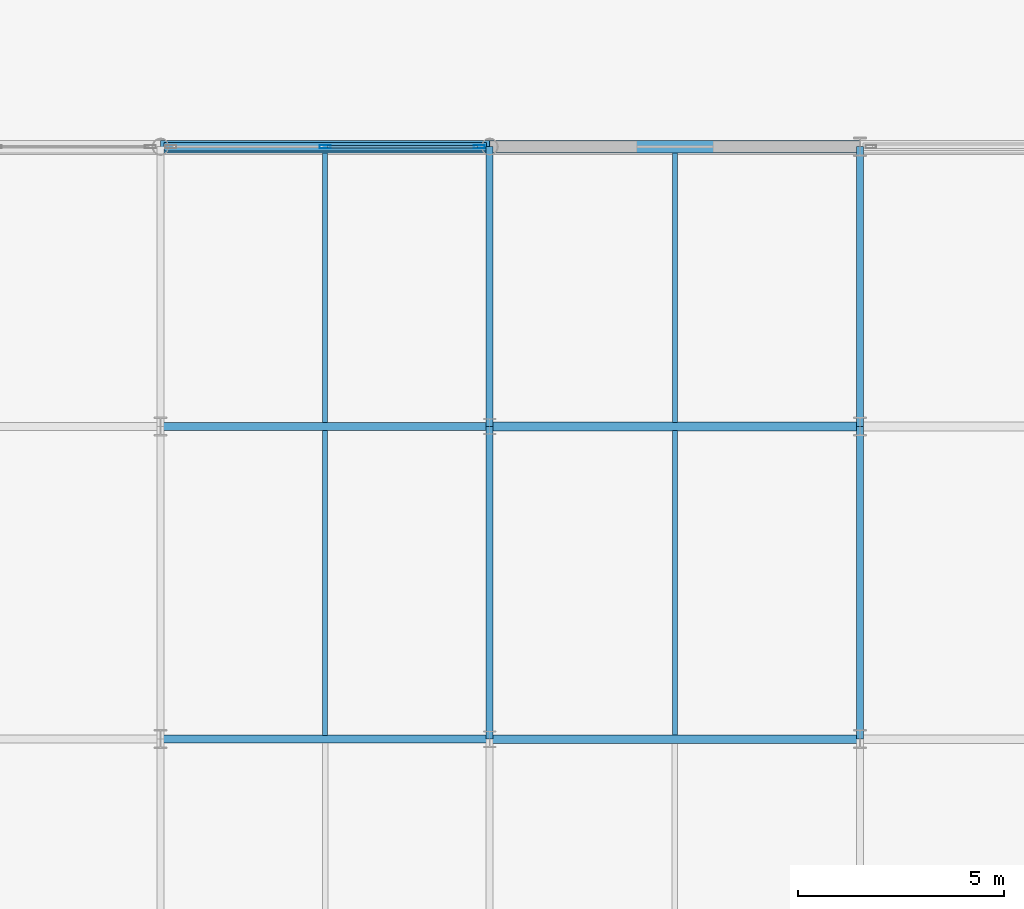
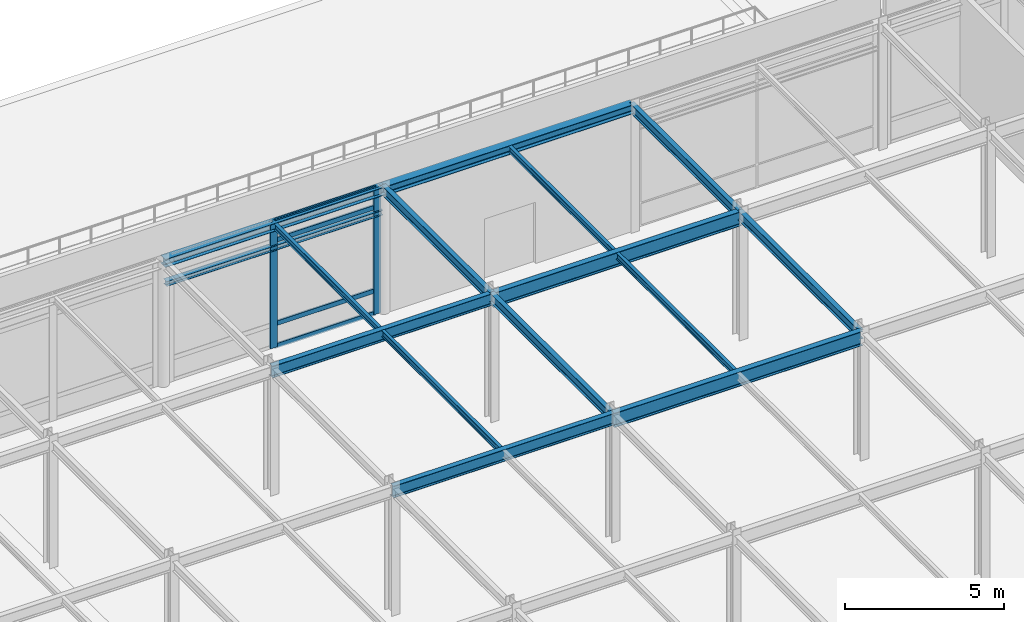
# One storey, part 51 of 113: 15 beams, 6 members, 1 element without a shape of its own.
"""IFC4 building model written with IfcOpenShell, lengths in metres."""

from ifc_helpers import new_model, si_unit, direction, frame, origin, origin_2d, place, context, subcontext, project, spatial, hollow_rectangle, i_section, extrude, material, layer, layer_set, material_profile, profile_set, type_object, element, aggregate, save


model = new_model("IFC4")

# Units and contexts
model_context = context("Model", 3, precision=1e-05, world=origin(), true_north=direction((0.0, 1.0)))
body_context = subcontext(model_context, "Body", "Model", "MODEL_VIEW")
ifc_project = project(units=[si_unit("LENGTHUNIT", "METRE"), si_unit("AREAUNIT", "SQUARE_METRE"), si_unit("VOLUMEUNIT", "CUBIC_METRE"), si_unit("PLANEANGLEUNIT", "RADIAN"), si_unit("MASSUNIT", "GRAM", prefix="KILO")], contexts=[model_context])

# Site, building, storey
site_placement = place(None, origin())
site = spatial("IfcSite", under=ifc_project, at=site_placement, CompositionType="ELEMENT")
building_placement = place(site_placement, origin())
building = spatial("IfcBuilding", under=site, at=building_placement, Name="Shalkamar Park Central Library", CompositionType="ELEMENT")
storey_placement = place(building_placement, frame((0.0, 0.0, 5.39990234375)))
storey = spatial("IfcBuildingStorey", under=building, at=storey_placement, Name="L02", CompositionType="ELEMENT", Elevation=5.39990234375)

# Beams
ifc_material_1 = material(Name="Steel S355", Category="steel")
ifc_material_profile_1 = material_profile(ifc_material_1, i_section(OverallWidth=0.1201171875, OverallDepth=0.239990234375, WebThickness=0.006103515625, FlangeThickness=0.009765625, FilletRadius=0.014892578125, at=origin_2d()), Name="IPE 240")
ifc_profile_set_1 = profile_set([ifc_material_profile_1], Name="Steel S355")
beam_type_1 = type_object("IfcBeamType", Name="Composite Floor Joist IPE240", PredefinedType="JOIST", material=ifc_profile_set_1)
beam_1_placement = place(storey_placement, frame((233.0, 323.693115234375, 4.72998046875), z_axis=(0.0, 1.0, 0.0), x_axis=(-1.0, 0.0, 0.0)))
element("IfcBeam", 1, at=beam_1_placement, inside=storey, type_object=beam_type_1, Name="Composite Joist 15/M-1 (L02)", PredefinedType="JOIST", context=body_context, shape_type="SweptSolid", body=[
    extrude(i_section(OverallWidth=0.1201171875, OverallDepth=0.239990234375, WebThickness=0.006103515625, FlangeThickness=0.009765625, FilletRadius=0.014892578125, at=origin_2d()), origin(), (0.0, 0.0, 1.0), 7.413818359375),
])
beam_2_placement = place(storey_placement, frame((233.0, 331.29296875, 4.72998046875), z_axis=(0.0, 1.0, 0.0), x_axis=(-1.0, 0.0, 0.0)))
element("IfcBeam", 2, at=beam_2_placement, inside=storey, type_object=beam_type_1, Name="Composite Joist 15/N-1 (L02)", PredefinedType="JOIST", context=body_context, shape_type="SweptSolid", body=[
    extrude(i_section(OverallWidth=0.1201171875, OverallDepth=0.239990234375, WebThickness=0.006103515625, FlangeThickness=0.009765625, FilletRadius=0.014892578125, at=origin_2d()), origin(), (0.0, 0.0, 1.0), 6.55908203125),
])
beam_3_placement = place(storey_placement, frame((241.5, 323.702880859375, 4.72998046875), z_axis=(0.0, 1.0, 0.0), x_axis=(-1.0, 0.0, 0.0)))
element("IfcBeam", 3, at=beam_3_placement, inside=storey, type_object=beam_type_1, Name="Composite Joist 16/M-1 (L02)", PredefinedType="JOIST", context=body_context, shape_type="SweptSolid", body=[
    extrude(i_section(OverallWidth=0.1201171875, OverallDepth=0.239990234375, WebThickness=0.006103515625, FlangeThickness=0.009765625, FilletRadius=0.014892578125, at=origin_2d()), origin(), (0.0, 0.0, 1.0), 7.39404296875),
])
beam_4_placement = place(storey_placement, frame((241.5, 331.302978515625, 4.72998046875), z_axis=(0.0, 1.0, 0.0), x_axis=(-1.0, 0.0, 0.0)))
element("IfcBeam", 4, at=beam_4_placement, inside=storey, type_object=beam_type_1, Name="Composite Joist 16/N-1 (L02)", PredefinedType="JOIST", context=body_context, shape_type="SweptSolid", body=[
    extrude(i_section(OverallWidth=0.1201171875, OverallDepth=0.239990234375, WebThickness=0.006103515625, FlangeThickness=0.009765625, FilletRadius=0.014892578125, at=origin_2d()), origin(), (0.0, 0.0, 1.0), 6.549072265625),
])

# Curtain wall, members
ifc_material_2 = material(Name="Thermally broken aluminium and triple low-e curtain wall", Category="aluminium")
ifc_layer = layer(ifc_material_2, 0.264892578125)
ifc_layer_set = layer_set([ifc_layer], Name="UnitisedCurtainWall_32")
curtain_wall_type = type_object("IfcCurtainWallType", Name="Unitised Curtain Wall 32", PredefinedType="USERDEFINED", material=ifc_layer_set)
curtain_wall_placement = place(storey_placement, origin())
curtain_wall = element("IfcCurtainWall", 5, at=curtain_wall_placement, inside=storey, type_object=curtain_wall_type, Name="Unitised Curtain Wall CW-L02-036", ObjectType="UNITISED CURTAIN WALL", PredefinedType="USERDEFINED")
ifc_material_3 = material(Name="Aluminium 6060-T66", Category="aluminium")
ifc_material_profile_2 = material_profile(ifc_material_3, hollow_rectangle(XDim=0.0849609375, YDim=0.264892578125, WallThickness=0.0048828125, InnerFilletRadius=0.0048828125, OuterFilletRadius=0.007568359375, at=origin_2d()), Name="ALU 85x265x5")
ifc_profile_set_2 = profile_set([ifc_material_profile_2], Name="Aluminium 6060-T66")
member_type_1 = type_object("IfcMemberType", Name="Curtain Wall Mullion ALU85x265", PredefinedType="MULLION", material=ifc_profile_set_2)
member_1_placement = place(storey_placement, frame((233.0, 338.0, 0.0), z_axis=(0.0, 0.0, 1.0), x_axis=(0.0, 1.0, 0.0)))
member_1 = element("IfcMember", 6, at=member_1_placement, type_object=member_type_1, Name="CW-32 mullion 2", PredefinedType="MULLION", context=body_context, shape_type="SweptSolid", body=[
    extrude(hollow_rectangle(XDim=0.0849609375, YDim=0.264892578125, WallThickness=0.0048828125, InnerFilletRadius=0.0048828125, OuterFilletRadius=0.007568359375, at=origin_2d()), origin(), (0.0, 0.0, 1.0), 4.85009765625),
])
member_2_placement = place(storey_placement, frame((236.750244140625, 338.0, 0.0), z_axis=(0.0, 0.0, 1.0), x_axis=(0.0, 1.0, 0.0)))
member_2 = element("IfcMember", 7, at=member_2_placement, type_object=member_type_1, Name="CW-32 mullion 3", PredefinedType="MULLION", context=body_context, shape_type="SweptSolid", body=[
    extrude(hollow_rectangle(XDim=0.0849609375, YDim=0.264892578125, WallThickness=0.0048828125, InnerFilletRadius=0.0048828125, OuterFilletRadius=0.007568359375, at=origin_2d()), origin(), (0.0, 0.0, 1.0), 4.85009765625),
])
ifc_material_profile_3 = material_profile(ifc_material_3, hollow_rectangle(XDim=0.070068359375, YDim=0.179931640625, WallThickness=0.00439453125, InnerFilletRadius=0.00439453125, OuterFilletRadius=0.0068359375, at=origin_2d()), Name="ALU 70x180x4.5")
ifc_profile_set_3 = profile_set([ifc_material_profile_3], Name="Aluminium 6060-T66")
member_type_2 = type_object("IfcMemberType", Name="Curtain Wall Transom ALU70x180", PredefinedType="USERDEFINED", material=ifc_profile_set_3)
member_3_placement = place(storey_placement, frame((233.04248046875, 338.0, 0.03515625), z_axis=(1.0, 0.0, 0.0), x_axis=(0.0, 1.0, 0.0)))
member_3 = element("IfcMember", 8, at=member_3_placement, type_object=member_type_2, Name="CW-32 transom 2.1", ObjectType="TRANSOM", PredefinedType="USERDEFINED", context=body_context, shape_type="SweptSolid", body=[
    extrude(hollow_rectangle(XDim=0.070068359375, YDim=0.179931640625, WallThickness=0.00439453125, InnerFilletRadius=0.00439453125, OuterFilletRadius=0.0068359375, at=origin_2d()), origin(), (0.0, 0.0, 1.0), 3.665283203125),
])
member_4_placement = place(storey_placement, frame((233.04248046875, 338.0, 0.900146484375), z_axis=(1.0, 0.0, 0.0), x_axis=(0.0, 1.0, 0.0)))
member_4 = element("IfcMember", 9, at=member_4_placement, type_object=member_type_2, Name="CW-32 transom 2.2", ObjectType="TRANSOM", PredefinedType="USERDEFINED", context=body_context, shape_type="SweptSolid", body=[
    extrude(hollow_rectangle(XDim=0.070068359375, YDim=0.179931640625, WallThickness=0.00439453125, InnerFilletRadius=0.00439453125, OuterFilletRadius=0.0068359375, at=origin_2d()), origin(), (0.0, 0.0, 1.0), 3.665283203125),
])
member_5_placement = place(storey_placement, frame((233.04248046875, 338.0, 4.10009765625), z_axis=(1.0, 0.0, 0.0), x_axis=(0.0, 1.0, 0.0)))
member_5 = element("IfcMember", 10, at=member_5_placement, type_object=member_type_2, Name="CW-32 transom 2.3", ObjectType="TRANSOM", PredefinedType="USERDEFINED", context=body_context, shape_type="SweptSolid", body=[
    extrude(hollow_rectangle(XDim=0.070068359375, YDim=0.179931640625, WallThickness=0.00439453125, InnerFilletRadius=0.00439453125, OuterFilletRadius=0.0068359375, at=origin_2d()), origin(), (0.0, 0.0, 1.0), 3.665283203125),
])
member_6_placement = place(storey_placement, frame((233.04248046875, 338.0, 4.815185546875), z_axis=(1.0, 0.0, 0.0), x_axis=(0.0, 1.0, 0.0)))
member_6 = element("IfcMember", 11, at=member_6_placement, type_object=member_type_2, Name="CW-32 transom 2.4", ObjectType="TRANSOM", PredefinedType="USERDEFINED", context=body_context, shape_type="SweptSolid", body=[
    extrude(hollow_rectangle(XDim=0.070068359375, YDim=0.179931640625, WallThickness=0.00439453125, InnerFilletRadius=0.00439453125, OuterFilletRadius=0.0068359375, at=origin_2d()), origin(), (0.0, 0.0, 1.0), 3.665283203125),
])
aggregate(curtain_wall, [member_1, member_2, member_3, member_4, member_5, member_6])

# Beams
ifc_material_profile_4 = material_profile(ifc_material_1, i_section(OverallWidth=0.199951171875, OverallDepth=0.18994140625, WebThickness=0.006591796875, FlangeThickness=0.010009765625, FilletRadius=0.01806640625, at=origin_2d()), Name="HEA 200")
ifc_profile_set_4 = profile_set([ifc_material_profile_4], Name="Steel S355")
beam_type_2 = type_object("IfcBeamType", Name="Opening Lintel Beam HEA200", PredefinedType="LINTEL", material=ifc_profile_set_4)
beam_5_placement = place(storey_placement, frame((229.080078125, 338.0, 3.85009765625), z_axis=(1.0, 0.0, 0.0), x_axis=(0.0, 1.0, 0.0)))
element("IfcBeam", 12, at=beam_5_placement, inside=storey, type_object=beam_type_2, Name="Opening Lintel L02-29", PredefinedType="LINTEL", context=body_context, shape_type="SweptSolid", body=[
    extrude(i_section(OverallWidth=0.199951171875, OverallDepth=0.18994140625, WebThickness=0.006591796875, FlangeThickness=0.010009765625, FilletRadius=0.01806640625, at=origin_2d()), origin(), (0.0, 0.0, 1.0), 7.83984375),
])
ifc_material_profile_5 = material_profile(ifc_material_1, i_section(OverallWidth=0.300048828125, OverallDepth=0.31005859375, WebThickness=0.009033203125, FlangeThickness=0.015380859375, FilletRadius=0.027099609375, at=origin_2d()), Name="HEA 320")
ifc_profile_set_5 = profile_set([ifc_material_profile_5], Name="Steel S355")
beam_type_3 = type_object("IfcBeamType", Name="Perimeter Spandrel Beam HEA320", PredefinedType="SPANDREL", material=ifc_profile_set_5)
beam_6_placement = place(storey_placement, frame((229.0, 338.0, 4.695068359375), z_axis=(1.0, 0.0, 0.0), x_axis=(0.0, 1.0, 0.0)))
element("IfcBeam", 13, at=beam_6_placement, inside=storey, type_object=beam_type_3, Name="Beam P:15-16 (L02)", PredefinedType="SPANDREL", context=body_context, shape_type="SweptSolid", body=[
    extrude(i_section(OverallWidth=0.300048828125, OverallDepth=0.31005859375, WebThickness=0.009033203125, FlangeThickness=0.015380859375, FilletRadius=0.027099609375, at=origin_2d()), origin(), (0.0, 0.0, 1.0), 8.0),
])
ifc_material_profile_6 = material_profile(ifc_material_1, i_section(OverallWidth=0.300048828125, OverallDepth=0.35009765625, WebThickness=0.010009765625, FlangeThickness=0.017578125, FilletRadius=0.027099609375, at=origin_2d()), Name="HEA 360")
ifc_profile_set_6 = profile_set([ifc_material_profile_6], Name="Steel S355")
beam_type_4 = type_object("IfcBeamType", Name="Perimeter Spandrel Beam HEA360", PredefinedType="SPANDREL", material=ifc_profile_set_6)
beam_7_placement = place(storey_placement, frame((237.0, 338.0, 4.675048828125), z_axis=(1.0, 0.0, 0.0), x_axis=(0.0, 1.0, 0.0)))
element("IfcBeam", 14, at=beam_7_placement, inside=storey, type_object=beam_type_4, Name="Beam P:16-17 (L02)", PredefinedType="SPANDREL", context=body_context, shape_type="SweptSolid", body=[
    extrude(i_section(OverallWidth=0.300048828125, OverallDepth=0.35009765625, WebThickness=0.010009765625, FlangeThickness=0.017578125, FilletRadius=0.027099609375, at=origin_2d()), origin(), (0.0, 0.0, 1.0), 9.0),
])
ifc_material_profile_7 = material_profile(ifc_material_1, i_section(OverallWidth=0.169921875, OverallDepth=0.360107421875, WebThickness=0.008056640625, FlangeThickness=0.0126953125, FilletRadius=0.01806640625, at=origin_2d()), Name="IPE 360")
ifc_profile_set_7 = profile_set([ifc_material_profile_7], Name="Steel S355")
beam_type_5 = type_object("IfcBeamType", Name="Primary Girder IPE360", PredefinedType="BEAM", material=ifc_profile_set_7)
beam_8_placement = place(storey_placement, frame((237.0, 323.60009765625, 4.670166015625), z_axis=(0.0, 1.0, 0.0), x_axis=(-1.0, 0.0, 0.0)))
element("IfcBeam", 15, at=beam_8_placement, inside=storey, type_object=beam_type_5, Name="Beam 16:M-N (L02)", PredefinedType="BEAM", context=body_context, shape_type="SweptSolid", body=[
    extrude(i_section(OverallWidth=0.169921875, OverallDepth=0.360107421875, WebThickness=0.008056640625, FlangeThickness=0.0126953125, FilletRadius=0.01806640625, at=origin_2d()), origin(), (0.0, 0.0, 1.0), 7.599853515625),
])
beam_9_placement = place(storey_placement, frame((237.0, 331.199951171875, 4.670166015625), z_axis=(0.0, 1.0, 0.0), x_axis=(-1.0, 0.0, 0.0)))
element("IfcBeam", 16, at=beam_9_placement, inside=storey, type_object=beam_type_5, Name="Beam 16:N-P (L02)", PredefinedType="BEAM", context=body_context, shape_type="SweptSolid", body=[
    extrude(i_section(OverallWidth=0.169921875, OverallDepth=0.360107421875, WebThickness=0.008056640625, FlangeThickness=0.0126953125, FilletRadius=0.01806640625, at=origin_2d()), origin(), (0.0, 0.0, 1.0), 6.800048828125),
])
beam_10_placement = place(storey_placement, frame((246.0, 323.60009765625, 4.670166015625), z_axis=(0.0, 1.0, 0.0), x_axis=(-1.0, 0.0, 0.0)))
element("IfcBeam", 17, at=beam_10_placement, inside=storey, type_object=beam_type_5, Name="Beam 17:M-N (L02)", PredefinedType="BEAM", context=body_context, shape_type="SweptSolid", body=[
    extrude(i_section(OverallWidth=0.169921875, OverallDepth=0.360107421875, WebThickness=0.008056640625, FlangeThickness=0.0126953125, FilletRadius=0.01806640625, at=origin_2d()), origin(), (0.0, 0.0, 1.0), 7.599853515625),
])
beam_11_placement = place(storey_placement, frame((246.0, 331.199951171875, 4.670166015625), z_axis=(0.0, 1.0, 0.0), x_axis=(-1.0, 0.0, 0.0)))
element("IfcBeam", 18, at=beam_11_placement, inside=storey, type_object=beam_type_5, Name="Beam 17:N-P (L02)", PredefinedType="BEAM", context=body_context, shape_type="SweptSolid", body=[
    extrude(i_section(OverallWidth=0.169921875, OverallDepth=0.360107421875, WebThickness=0.008056640625, FlangeThickness=0.0126953125, FilletRadius=0.01806640625, at=origin_2d()), origin(), (0.0, 0.0, 1.0), 6.800048828125),
])
ifc_material_profile_8 = material_profile(ifc_material_1, i_section(OverallWidth=0.18994140625, OverallDepth=0.449951171875, WebThickness=0.009521484375, FlangeThickness=0.0146484375, FilletRadius=0.02099609375, at=origin_2d()), Name="IPE 450")
ifc_profile_set_8 = profile_set([ifc_material_profile_8], Name="Steel S355")
beam_type_6 = type_object("IfcBeamType", Name="Primary Girder IPE450", PredefinedType="BEAM", material=ifc_profile_set_8)
for number, where, z_axis, x_axis, name in (
    (19, (229.0, 323.60009765625, 4.635009765625), (1.0, 0.0, 0.0), (0.0, 1.0, 0.0), "Beam M:15-16 (L02)"),
    (20, (229.0, 331.199951171875, 4.625), (1.0, 0.0, 0.0), (0.0, 1.0, 0.0), "Beam N:15-16 (L02)"),
):
    element("IfcBeam", number, at=place(storey_placement, frame(where, z_axis=z_axis, x_axis=x_axis)), inside=storey, type_object=beam_type_6, Name=name, PredefinedType="BEAM", context=body_context, shape_type="SweptSolid", body=[
        extrude(i_section(OverallWidth=0.18994140625, OverallDepth=0.449951171875, WebThickness=0.009521484375, FlangeThickness=0.0146484375, FilletRadius=0.02099609375, at=origin_2d()), origin(), (0.0, 0.0, 1.0), 8.0),
    ])
ifc_material_profile_9 = material_profile(ifc_material_1, i_section(OverallWidth=0.2099609375, OverallDepth=0.550048828125, WebThickness=0.010986328125, FlangeThickness=0.01708984375, FilletRadius=0.02392578125, at=origin_2d()), Name="IPE 550")
ifc_profile_set_9 = profile_set([ifc_material_profile_9], Name="Steel S355")
beam_type_7 = type_object("IfcBeamType", Name="Primary Girder IPE550", PredefinedType="BEAM", material=ifc_profile_set_9)
for number, where, z_axis, x_axis, name in (
    (21, (237.0, 323.60009765625, 4.585205078125), (1.0, 0.0, 0.0), (0.0, 1.0, 0.0), "Beam M:16-17 (L02)"),
    (22, (237.0, 331.199951171875, 4.5751953125), (1.0, 0.0, 0.0), (0.0, 1.0, 0.0), "Beam N:16-17 (L02)"),
):
    element("IfcBeam", number, at=place(storey_placement, frame(where, z_axis=z_axis, x_axis=x_axis)), inside=storey, type_object=beam_type_7, Name=name, PredefinedType="BEAM", context=body_context, shape_type="SweptSolid", body=[
        extrude(i_section(OverallWidth=0.2099609375, OverallDepth=0.550048828125, WebThickness=0.010986328125, FlangeThickness=0.01708984375, FilletRadius=0.02392578125, at=origin_2d()), origin(), (0.0, 0.0, 1.0), 9.0),
    ])

save(model, "model.ifc")
